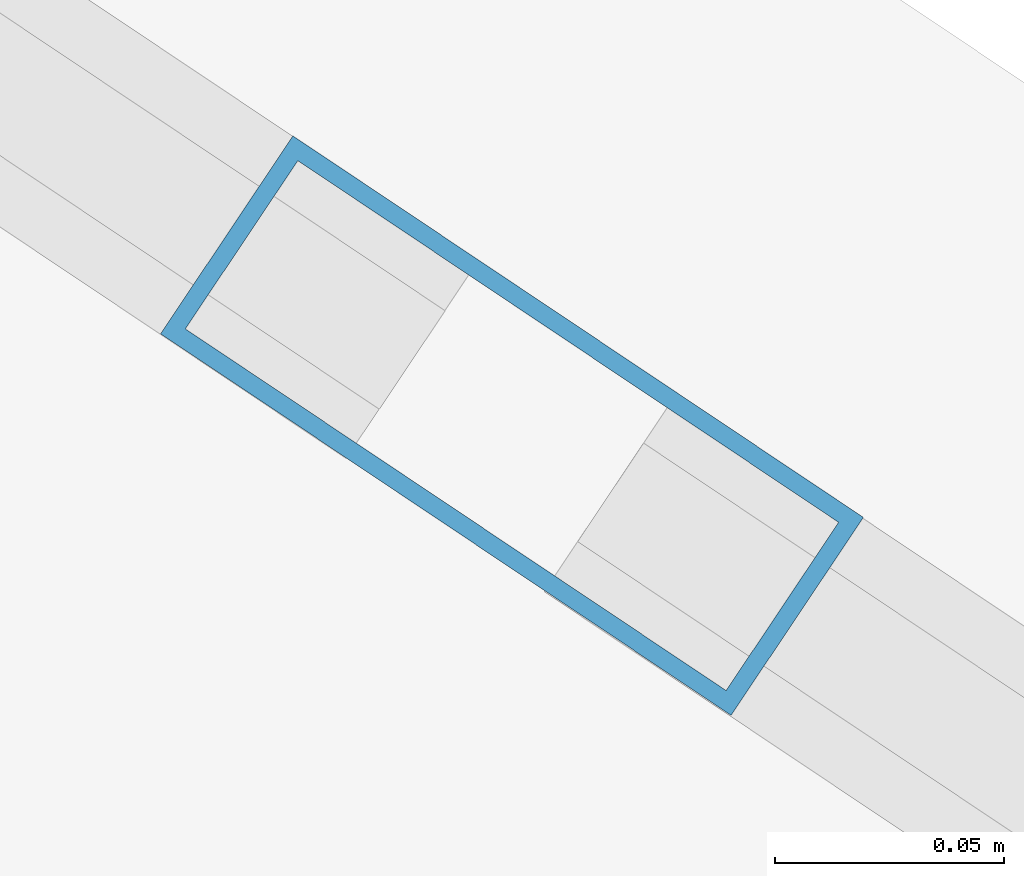
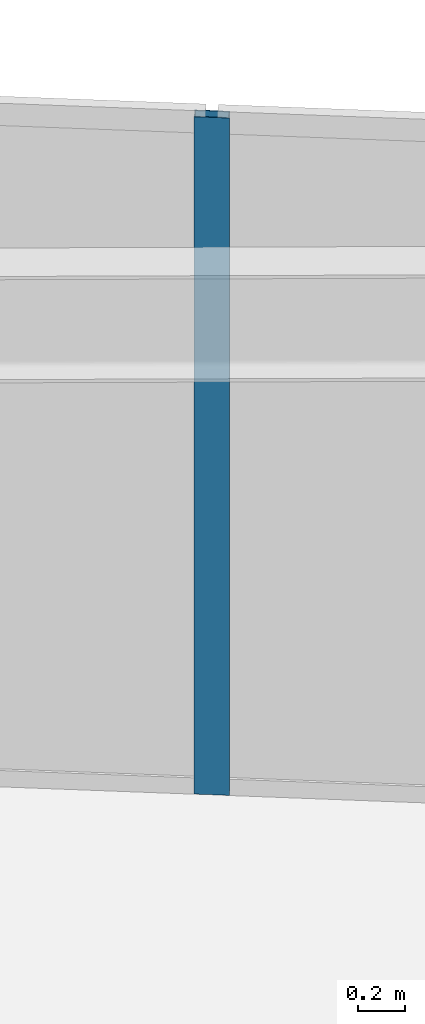
# One storey, part 5 of 20: 1 member, 1 element without a shape of its own.
"""IFC4 building model written with IfcOpenShell, lengths in metres."""

from ifc_helpers import new_model, si_unit, direction, frame, origin, origin_2d, place, context, subcontext, project, spatial, hollow_rectangle, extrude, source, transform, mapped, material, layer, layer_set, material_profile, profile_set, type_object, element, aggregate, save


model = new_model("IFC4")

# Units and contexts
model_context = context("Model", 3, precision=1e-05, world=origin(), true_north=direction((0.0, 1.0)))
body_context = subcontext(model_context, "Body", "Model", "MODEL_VIEW")
ifc_project = project(units=[si_unit("LENGTHUNIT", "METRE"), si_unit("AREAUNIT", "SQUARE_METRE"), si_unit("VOLUMEUNIT", "CUBIC_METRE"), si_unit("PLANEANGLEUNIT", "RADIAN"), si_unit("MASSUNIT", "GRAM", prefix="KILO")], contexts=[model_context])

# Site, building, storey
site_placement = place(None, origin())
site = spatial("IfcSite", under=ifc_project, at=site_placement, CompositionType="ELEMENT")
building_placement = place(site_placement, origin())
building = spatial("IfcBuilding", under=site, at=building_placement, Name="Linh Dai School and Residence Tower", CompositionType="ELEMENT")
storey_placement = place(building_placement, frame((0.0, 0.0, 127.199951171875)))
storey = spatial("IfcBuildingStorey", under=building, at=storey_placement, Name="L30", CompositionType="ELEMENT", Elevation=127.199951171875)

# Curtain wall, member
ifc_material_1 = material(Name="Aluminium Anodised Curtain Wall", Category="aluminium")
ifc_layer = layer(ifc_material_1, 0.14990234375)
ifc_layer_set = layer_set([ifc_layer], Name="Aluminium Anodised Curtain Wall")
curtain_wall_type = type_object("IfcCurtainWallType", Name="CW-SYS-4", PredefinedType="USERDEFINED", material=ifc_layer_set)
curtain_wall_placement = place(storey_placement, origin())
curtain_wall = element("IfcCurtainWall", 1, at=curtain_wall_placement, inside=storey, type_object=curtain_wall_type, Name="L30 CW4 Curtain Wall 06", ObjectType="RIBBON CURTAIN WALL", PredefinedType="USERDEFINED")
ifc_material_2 = material(Name="Aluminium Alloy 6063-T6", Category="aluminium")
ifc_material_profile = material_profile(ifc_material_2, hollow_rectangle(XDim=0.052001953125, YDim=0.14990234375, WallThickness=0.00390625, at=origin_2d()), Name="RHS 150x52x4")
ifc_profile_set = profile_set([ifc_material_profile], Name="Aluminium Alloy 6063-T6")
member_type = type_object("IfcMemberType", Name="CW-SYS-4-MUL", PredefinedType="MULLION", material=ifc_profile_set)
shared_shape = source(origin(), body_context, "Body", "SweptSolid", [
    extrude(hollow_rectangle(XDim=0.052001953125, YDim=0.14990234375, WallThickness=0.00390625, at=origin_2d()), origin(), (0.0, 0.0, 1.0), 3.5),
])
member_placement = place(storey_placement, frame((54.641845703125, 44.051513671875, 0.0), z_axis=(0.0, 0.0, 1.0), x_axis=(0.555913198527, 0.831240347736, 0.0)))
member = element("IfcMember", 2, at=member_placement, type_object=member_type, Name="CW4 mullion 2", PredefinedType="MULLION", context=body_context, shape_type="MappedRepresentation", body=[
    mapped(shared_shape, transform((0.0, 0.0, 0.0), x_axis=(1.0, 0.0, 0.0), y_axis=(0.0, 1.0, 0.0), z_axis=(0.0, 0.0, 1.0), scale=1.0)),
])
aggregate(curtain_wall, [member])

save(model, "model.ifc")
